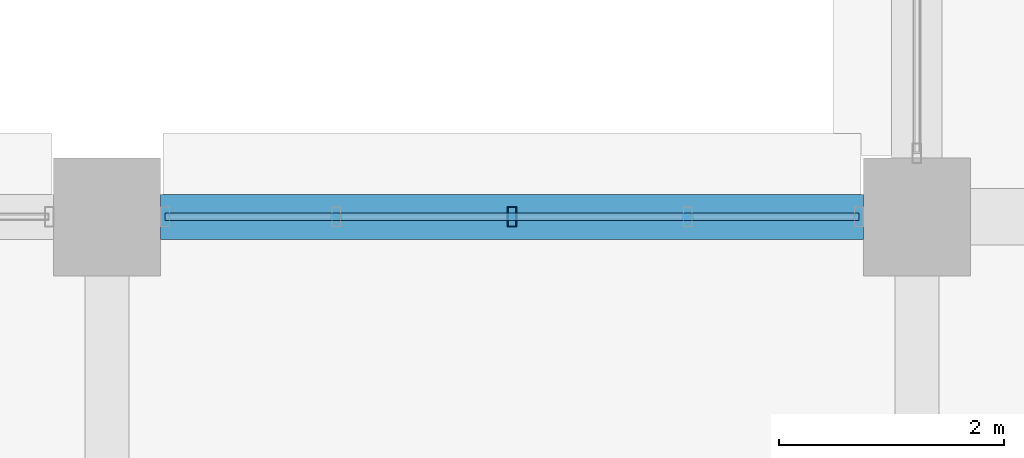
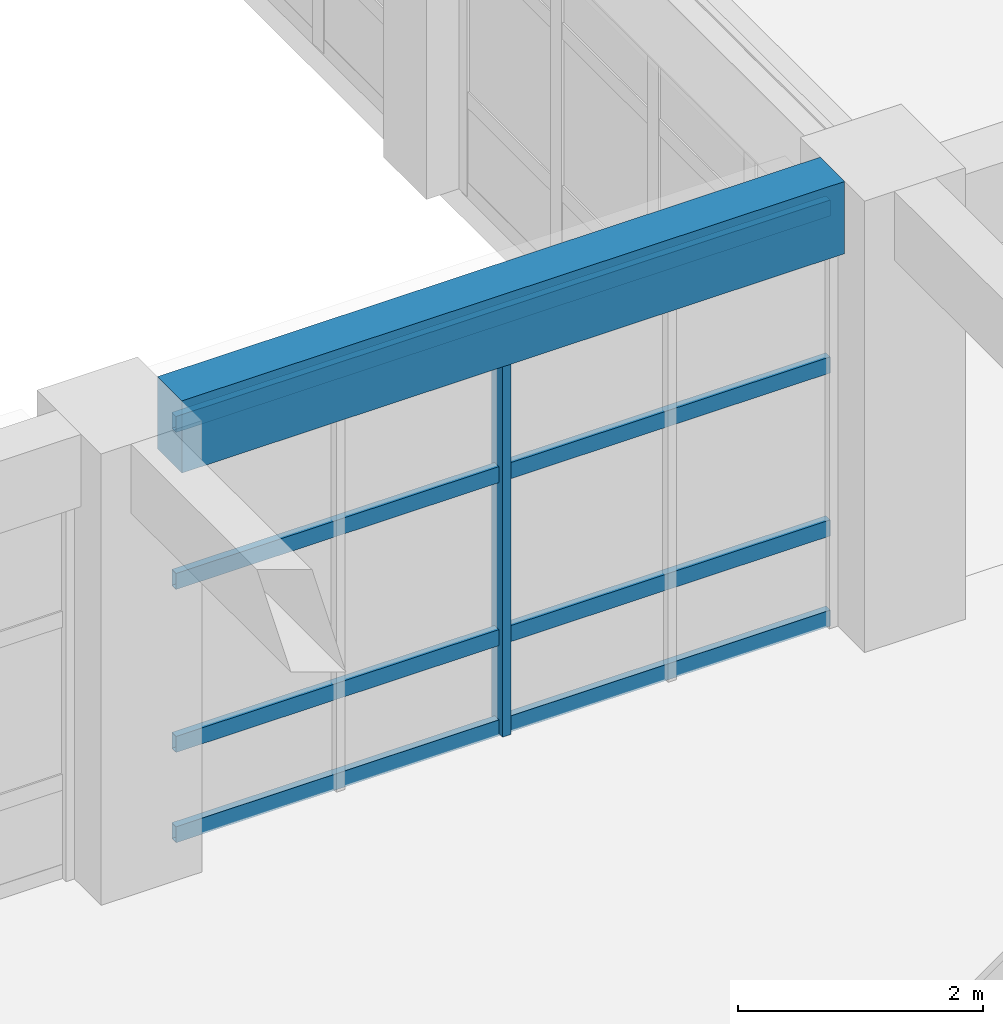
# One storey, part 47 of 171: 5 members, 1 beam, 1 element without a shape of its own.
"""IFC4 building model written with IfcOpenShell, lengths in metres."""

from ifc_helpers import new_model, si_unit, direction, frame, origin, origin_2d, place, context, subcontext, project, spatial, rectangle, hollow_rectangle, extrude, material, material_profile, profile_set, type_object, element, aggregate, save


model = new_model("IFC4")

# Units and contexts
model_context = context("Model", 3, precision=1e-05, world=origin(), true_north=direction((0.0, 1.0)))
body_context = subcontext(model_context, "Body", "Model", "MODEL_VIEW")
ifc_project = project(units=[si_unit("LENGTHUNIT", "METRE"), si_unit("AREAUNIT", "SQUARE_METRE"), si_unit("VOLUMEUNIT", "CUBIC_METRE"), si_unit("PLANEANGLEUNIT", "RADIAN"), si_unit("MASSUNIT", "GRAM", prefix="KILO")], contexts=[model_context])

# Site, building, storey
site_placement = place(None, origin())
site = spatial("IfcSite", under=ifc_project, at=site_placement, CompositionType="ELEMENT")
building_placement = place(site_placement, origin())
building = spatial("IfcBuilding", under=site, at=building_placement, Name="Thalmaran Polytechnic", CompositionType="ELEMENT")
storey_placement = place(building_placement, frame((0.0, 0.0, 5.39990234375)))
storey = spatial("IfcBuildingStorey", under=building, at=storey_placement, Name="L01", CompositionType="ELEMENT", Elevation=5.39990234375)

# Beam
ifc_material_1 = material(Name="Concrete C40/50", Category="concrete")
ifc_material_profile_1 = material_profile(ifc_material_1, rectangle(XDim=0.39990234375, YDim=0.719970703125, at=origin_2d()), Name="RC 400x720")
ifc_profile_set_1 = profile_set([ifc_material_profile_1], Name="Concrete C40/50")
beam_type = type_object("IfcBeamType", Name="BM-SP01", PredefinedType="SPANDREL", material=ifc_profile_set_1)
beam_placement = place(storey_placement, frame((122.875, 57.60009765625, 4.14013671875), z_axis=(1.0, 0.0, 0.0), x_axis=(0.0, 1.0, 0.0)))
element("IfcBeam", 1, at=beam_placement, inside=storey, type_object=beam_type, Name="Grid Beam SP01 L01 X(17,8)", PredefinedType="SPANDREL", context=body_context, shape_type="SweptSolid", body=[
    extrude(rectangle(XDim=0.39990234375, YDim=0.719970703125, at=origin_2d()), origin(), (0.0, 0.0, 1.0), 6.25),
])

# Curtain wall, members
ifc_material_2 = material(Name="Aluminium 6063-T6", Category="aluminium")
curtain_wall_type = type_object("IfcCurtainWallType", Name="CW-UC02", PredefinedType="USERDEFINED", material=ifc_material_2)
curtain_wall_placement = place(storey_placement, origin())
curtain_wall = element("IfcCurtainWall", 2, at=curtain_wall_placement, inside=storey, type_object=curtain_wall_type, Name="Curtain Wall CW-L01-179", ObjectType="UNITISED CURTAIN WALL", PredefinedType="USERDEFINED")
ifc_material_profile_2 = material_profile(ifc_material_2, hollow_rectangle(XDim=0.080078125, YDim=0.179931640625, WallThickness=0.0048828125, at=origin_2d()), Name="RHS 180x80x5.0")
ifc_profile_set_2 = profile_set([ifc_material_profile_2], Name="Aluminium 6063-T6")
member_type_1 = type_object("IfcMemberType", Name="CW-MUL1", PredefinedType="MULLION", material=ifc_profile_set_2)
member_1_placement = place(storey_placement, frame((126.0, 57.60009765625, 0.0), z_axis=(0.0, 0.0, 1.0), x_axis=(1.0, 0.0, 0.0)))
member_1 = element("IfcMember", 3, at=member_1_placement, type_object=member_type_1, Name="CW-L01-179 Mullion 3", PredefinedType="MULLION", context=body_context, shape_type="SweptSolid", body=[
    extrude(hollow_rectangle(XDim=0.080078125, YDim=0.179931640625, WallThickness=0.0048828125, at=origin_2d()), origin(), (0.0, 0.0, 1.0), 4.210205078125),
])
ifc_material_profile_3 = material_profile(ifc_material_2, hollow_rectangle(XDim=0.070068359375, YDim=0.159912109375, WallThickness=0.00390625, at=origin_2d()), Name="AL 160x70x4.0")
ifc_profile_set_3 = profile_set([ifc_material_profile_3], Name="Aluminium 6063-T6")
member_type_2 = type_object("IfcMemberType", Name="CW-TRN1", PredefinedType="USERDEFINED", material=ifc_profile_set_3)
member_2_placement = place(storey_placement, frame((122.9150390625, 57.60009765625, 0.06005859375), z_axis=(1.0, 0.0, 0.0), x_axis=(0.0, 1.0, 0.0)))
member_2 = element("IfcMember", 4, at=member_2_placement, type_object=member_type_2, Name="CW-L01-179 Transom 1", ObjectType="TRANSOM", PredefinedType="USERDEFINED", context=body_context, shape_type="SweptSolid", body=[
    extrude(hollow_rectangle(XDim=0.070068359375, YDim=0.159912109375, WallThickness=0.00390625, at=origin_2d()), origin(), (0.0, 0.0, 1.0), 6.169921875),
])
member_3_placement = place(storey_placement, frame((122.9150390625, 57.60009765625, 0.960205078125), z_axis=(1.0, 0.0, 0.0), x_axis=(0.0, 1.0, 0.0)))
member_3 = element("IfcMember", 5, at=member_3_placement, type_object=member_type_2, Name="CW-L01-179 Transom 2", ObjectType="TRANSOM", PredefinedType="USERDEFINED", context=body_context, shape_type="SweptSolid", body=[
    extrude(hollow_rectangle(XDim=0.070068359375, YDim=0.159912109375, WallThickness=0.00390625, at=origin_2d()), origin(), (0.0, 0.0, 1.0), 6.169921875),
])
member_4_placement = place(storey_placement, frame((122.9150390625, 57.60009765625, 2.585205078125), z_axis=(1.0, 0.0, 0.0), x_axis=(0.0, 1.0, 0.0)))
member_4 = element("IfcMember", 6, at=member_4_placement, type_object=member_type_2, Name="CW-L01-179 Transom 3", ObjectType="TRANSOM", PredefinedType="USERDEFINED", context=body_context, shape_type="SweptSolid", body=[
    extrude(hollow_rectangle(XDim=0.070068359375, YDim=0.159912109375, WallThickness=0.00390625, at=origin_2d()), origin(), (0.0, 0.0, 1.0), 6.169921875),
])
member_5_placement = place(storey_placement, frame((122.9150390625, 57.60009765625, 4.150146484375), z_axis=(1.0, 0.0, 0.0), x_axis=(0.0, 1.0, 0.0)))
member_5 = element("IfcMember", 7, at=member_5_placement, type_object=member_type_2, Name="CW-L01-179 Transom 4", ObjectType="TRANSOM", PredefinedType="USERDEFINED", context=body_context, shape_type="SweptSolid", body=[
    extrude(hollow_rectangle(XDim=0.070068359375, YDim=0.159912109375, WallThickness=0.00390625, at=origin_2d()), origin(), (0.0, 0.0, 1.0), 6.169921875),
])
aggregate(curtain_wall, [member_1, member_2, member_3, member_4, member_5])

save(model, "model.ifc")
